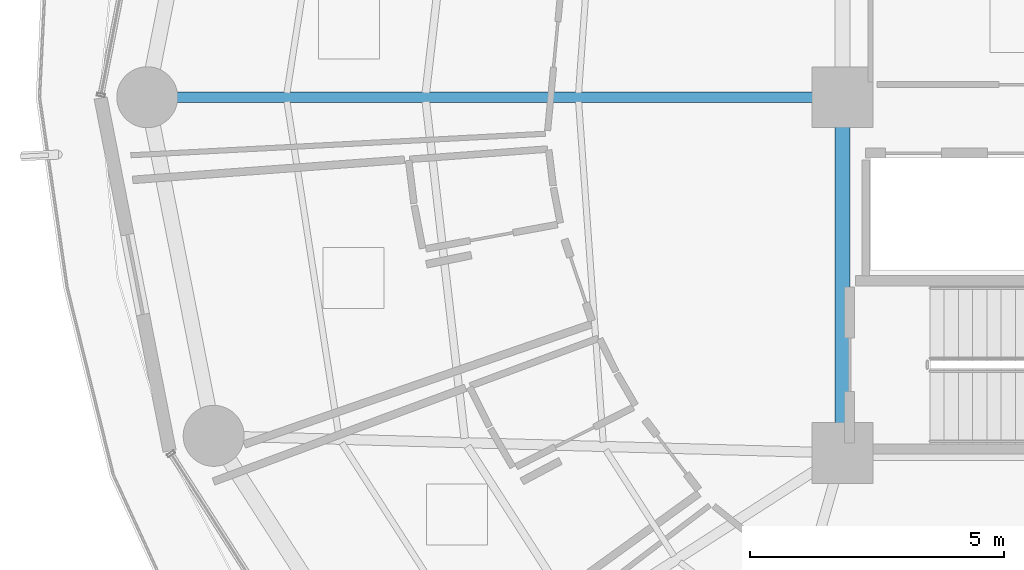
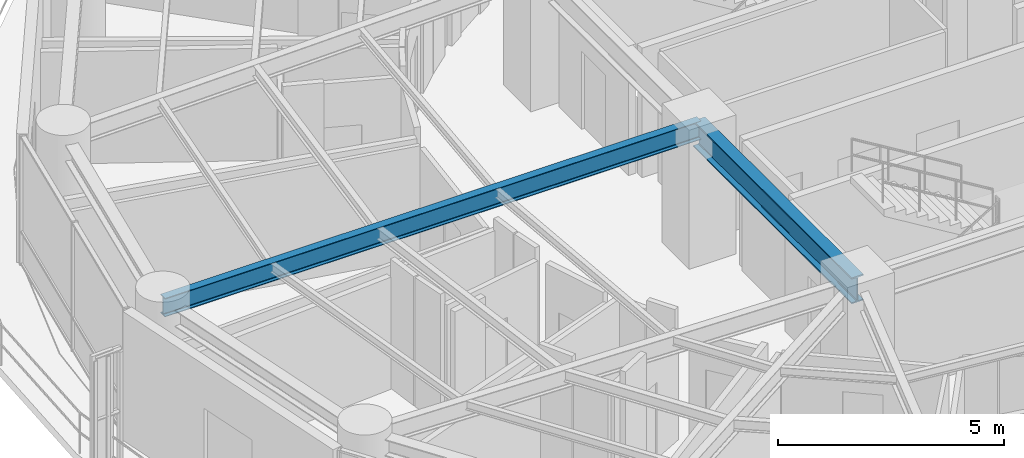
# One storey, part 7 of 27: 2 beams.
"""IFC4 building model written with IfcOpenShell, lengths in metres."""

from ifc_helpers import new_model, si_unit, direction, frame, origin, origin_2d, place, context, subcontext, project, spatial, i_section, extrude, material, material_profile, profile_set, type_object, element, save


model = new_model("IFC4")

# Units and contexts
model_context = context("Model", 3, precision=1e-05, world=origin(), true_north=direction((0.0, 1.0)))
body_context = subcontext(model_context, "Body", "Model", "MODEL_VIEW")
ifc_project = project(units=[si_unit("LENGTHUNIT", "METRE"), si_unit("AREAUNIT", "SQUARE_METRE"), si_unit("VOLUMEUNIT", "CUBIC_METRE"), si_unit("PLANEANGLEUNIT", "RADIAN"), si_unit("MASSUNIT", "GRAM", prefix="KILO")], contexts=[model_context])

# Site, building, storey
site_placement = place(None, origin())
site = spatial("IfcSite", under=ifc_project, at=site_placement, CompositionType="ELEMENT")
building_placement = place(site_placement, origin())
building = spatial("IfcBuilding", under=site, at=building_placement, Name="Kelanora Arch Commons", CompositionType="ELEMENT")
storey_placement = place(building_placement, frame((0.0, 0.0, 143.10009765625)))
storey = spatial("IfcBuildingStorey", under=building, at=storey_placement, Name="L36", CompositionType="ELEMENT", Elevation=143.10009765625)

# Beams
ifc_material = material(Name="Steel S355", Category="steel")
ifc_material_profile_1 = material_profile(ifc_material, i_section(OverallWidth=0.300048828125, OverallDepth=0.699951171875, WebThickness=0.01708984375, FlangeThickness=0.031982421875, FilletRadius=0.027099609375, at=origin_2d()), Name="HEB700")
ifc_profile_set_1 = profile_set([ifc_material_profile_1], Name="Steel S355")
beam_type_1 = type_object("IfcBeamType", Name="BM-CORE-HDR", PredefinedType="BEAM", material=ifc_profile_set_1)
beam_1_placement = place(storey_placement, frame((66.0, 58.0, 3.139892578125), z_axis=(0.0, -1.0, 0.0), x_axis=(1.0, 0.0, 0.0)))
element("IfcBeam", 1, at=beam_1_placement, inside=storey, type_object=beam_type_1, Name="Core Header Beam 09 L36", PredefinedType="BEAM", context=body_context, shape_type="SweptSolid", body=[
    extrude(i_section(OverallWidth=0.300048828125, OverallDepth=0.699951171875, WebThickness=0.01708984375, FlangeThickness=0.031982421875, FilletRadius=0.027099609375, at=origin_2d()), origin(), (0.0, 0.0, 1.0), 7.0),
])
ifc_material_profile_2 = material_profile(ifc_material, i_section(OverallWidth=0.199951171875, OverallDepth=0.5, WebThickness=0.01025390625, FlangeThickness=0.01611328125, FilletRadius=0.02099609375, at=origin_2d()), Name="IPE500")
ifc_profile_set_2 = profile_set([ifc_material_profile_2], Name="Steel S355")
beam_type_2 = type_object("IfcBeamType", Name="BM-RAD-Z3", PredefinedType="BEAM", material=ifc_profile_set_2)
beam_2_placement = place(storey_placement, frame((66.0, 58.0, 3.239990234375), z_axis=(-1.0, 0.0, 0.0), x_axis=(0.0, -1.0, 0.0)))
element("IfcBeam", 2, at=beam_2_placement, inside=storey, type_object=beam_type_2, Name="Radial Floor Girder BR-18 L36", PredefinedType="BEAM", context=body_context, shape_type="SweptSolid", body=[
    extrude(i_section(OverallWidth=0.199951171875, OverallDepth=0.5, WebThickness=0.01025390625, FlangeThickness=0.01611328125, FilletRadius=0.02099609375, at=origin_2d()), origin(), (0.0, 0.0, 1.0), 13.679931640625),
])

save(model, "model.ifc")
